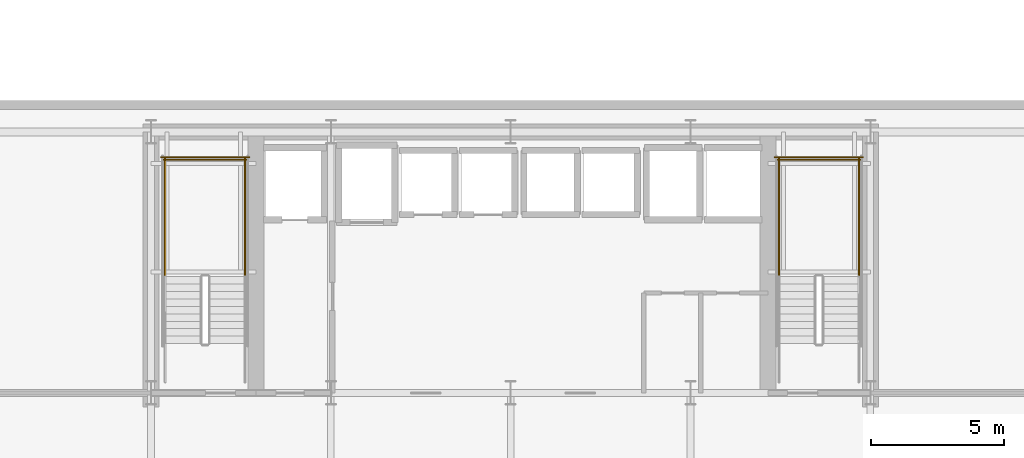
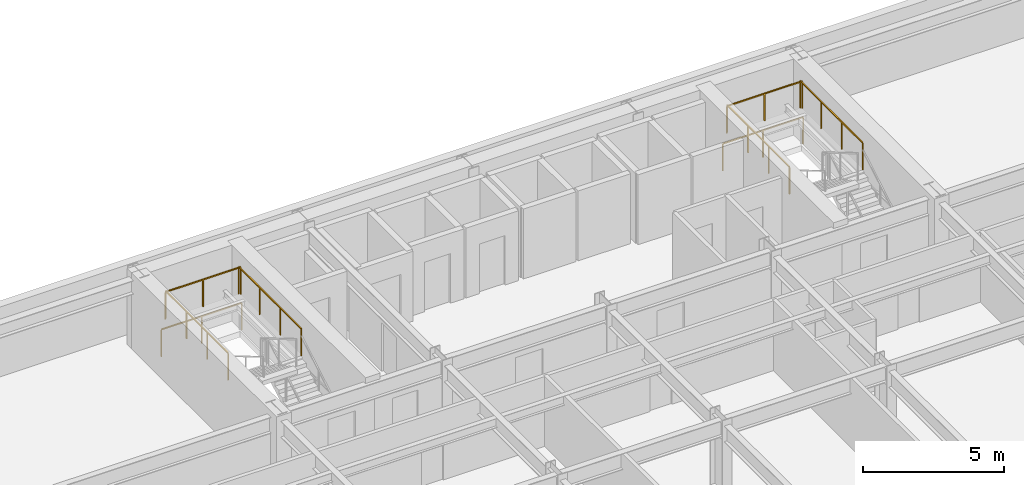
# One storey, part 13 of 16: 8 railings.
"""IFC4 building model written with IfcOpenShell, lengths in metres."""

from ifc_helpers import new_model, si_unit, direction, frame, origin, origin_2d, place, context, subcontext, project, spatial, rectangle, extrude, material, type_object, element, save


model = new_model("IFC4")

# Units and contexts
model_context = context("Model", 3, precision=1e-05, world=origin(), true_north=direction((0.0, 1.0)))
body_context = subcontext(model_context, "Body", "Model", "MODEL_VIEW")
ifc_project = project(units=[si_unit("LENGTHUNIT", "METRE"), si_unit("AREAUNIT", "SQUARE_METRE"), si_unit("VOLUMEUNIT", "CUBIC_METRE"), si_unit("PLANEANGLEUNIT", "RADIAN"), si_unit("MASSUNIT", "GRAM", prefix="KILO")], contexts=[model_context])

# Site, building, storey
site_placement = place(None, origin())
site = spatial("IfcSite", under=ifc_project, at=site_placement, CompositionType="ELEMENT")
building_placement = place(site_placement, origin())
building = spatial("IfcBuilding", under=site, at=building_placement, Name="Haevon Station Towers", CompositionType="ELEMENT")
storey_placement = place(building_placement, frame((0.0, 0.0, 43.800048828125)))
storey = spatial("IfcBuildingStorey", under=building, at=storey_placement, Name="L10", CompositionType="ELEMENT", Elevation=43.800048828125)

# Railings
ifc_material = material(Name="Steel S355", Category="steel")
railing_type = type_object("IfcRailingType", Name="GRD-STR1200", PredefinedType="GUARDRAIL", material=ifc_material)
for number, where, name in (
    (1, (27.530029296875, 42.570068359375, 1.64990234375), "L10 ST1 Stair Guard 3"),
    (2, (24.530029296875, 42.570068359375, 1.64990234375), "L10 ST1 Stair Guard 4"),
):
    element("IfcRailing", number, at=place(storey_placement, frame(where)), inside=storey, type_object=railing_type, Name=name, PredefinedType="GUARDRAIL", context=body_context, shape_type="SweptSolid", body=[
        extrude(rectangle(XDim=0.048095703125, YDim=0.048095703125, at=origin_2d()), frame((0.0, 0.0, 1.17578125), z_axis=(0.0, 1.0, 0.0), x_axis=(-1.0, 0.0, 0.0)), (0.0, 0.0, 1.0), 4.429931640625),
        extrude(rectangle(XDim=0.0419921875, YDim=0.0419921875, at=origin_2d()), origin(), (0.0, 0.0, 1.0), 1.15185546875),
        extrude(rectangle(XDim=0.0419921875, YDim=0.0419921875, at=origin_2d()), frame((0.0, 1.4765625, 0.0)), (0.0, 0.0, 1.0), 1.15185546875),
        extrude(rectangle(XDim=0.0419921875, YDim=0.0419921875, at=origin_2d()), frame((0.0, 2.953369140625, 0.0)), (0.0, 0.0, 1.0), 1.15185546875),
        extrude(rectangle(XDim=0.0419921875, YDim=0.0419921875, at=origin_2d()), frame((0.0, 4.429931640625, 0.0)), (0.0, 0.0, 1.0), 1.15185546875),
    ])
railing_1_placement = place(storey_placement, frame((27.580078125, 46.949951171875, 1.64990234375)))
element("IfcRailing", 3, at=railing_1_placement, inside=storey, type_object=railing_type, Name="L10 ST1 Stair Guard 5", PredefinedType="GUARDRAIL", context=body_context, shape_type="SweptSolid", body=[
    extrude(rectangle(XDim=0.048095703125, YDim=0.048095703125, at=origin_2d()), frame((0.0, 0.0, 1.17578125), z_axis=(-1.0, 0.0, 0.0), x_axis=(0.0, -1.0, 0.0)), (0.0, 0.0, 1.0), 3.10009765625),
    extrude(rectangle(XDim=0.0419921875, YDim=0.0419921875, at=origin_2d()), origin(), (0.0, 0.0, 1.0), 1.15185546875),
    extrude(rectangle(XDim=0.0419921875, YDim=0.0419921875, at=origin_2d()), frame((-1.550048828125, 0.0, 0.0)), (0.0, 0.0, 1.0), 1.15185546875),
    extrude(rectangle(XDim=0.0419921875, YDim=0.0419921875, at=origin_2d()), frame((-3.10009765625, 0.0, 0.0)), (0.0, 0.0, 1.0), 1.15185546875),
])
railing_2_placement = place(storey_placement, frame((27.679931640625, 47.050048828125, 0.0)))
element("IfcRailing", 4, at=railing_2_placement, inside=storey, type_object=railing_type, Name="L10 ST1 Stair Guard 12", PredefinedType="GUARDRAIL", context=body_context, shape_type="SweptSolid", body=[
    extrude(rectangle(XDim=0.048095703125, YDim=0.048095703125, at=origin_2d()), frame((0.0, 0.0, 1.17578125), z_axis=(-1.0, 0.0, 0.0), x_axis=(0.0, -1.0, 0.0)), (0.0, 0.0, 1.0), 3.300048828125),
    extrude(rectangle(XDim=0.0419921875, YDim=0.0419921875, at=origin_2d()), origin(), (0.0, 0.0, 1.0), 1.15185546875),
    extrude(rectangle(XDim=0.0419921875, YDim=0.0419921875, at=origin_2d()), frame((-1.64990234375, 0.0, 0.0)), (0.0, 0.0, 1.0), 1.15185546875),
    extrude(rectangle(XDim=0.0419921875, YDim=0.0419921875, at=origin_2d()), frame((-3.300048828125, 0.0, 0.0)), (0.0, 0.0, 1.0), 1.15185546875),
])
for number, where, name in (
    (5, (50.570068359375, 42.570068359375, 1.64990234375), "L10 ST2 Stair Guard 3"),
    (6, (47.570068359375, 42.570068359375, 1.64990234375), "L10 ST2 Stair Guard 4"),
):
    element("IfcRailing", number, at=place(storey_placement, frame(where)), inside=storey, type_object=railing_type, Name=name, PredefinedType="GUARDRAIL", context=body_context, shape_type="SweptSolid", body=[
        extrude(rectangle(XDim=0.048095703125, YDim=0.048095703125, at=origin_2d()), frame((0.0, 0.0, 1.17578125), z_axis=(0.0, 1.0, 0.0), x_axis=(-1.0, 0.0, 0.0)), (0.0, 0.0, 1.0), 4.429931640625),
        extrude(rectangle(XDim=0.0419921875, YDim=0.0419921875, at=origin_2d()), origin(), (0.0, 0.0, 1.0), 1.15185546875),
        extrude(rectangle(XDim=0.0419921875, YDim=0.0419921875, at=origin_2d()), frame((0.0, 1.4765625, 0.0)), (0.0, 0.0, 1.0), 1.15185546875),
        extrude(rectangle(XDim=0.0419921875, YDim=0.0419921875, at=origin_2d()), frame((0.0, 2.953369140625, 0.0)), (0.0, 0.0, 1.0), 1.15185546875),
        extrude(rectangle(XDim=0.0419921875, YDim=0.0419921875, at=origin_2d()), frame((0.0, 4.429931640625, 0.0)), (0.0, 0.0, 1.0), 1.15185546875),
    ])
railing_3_placement = place(storey_placement, frame((50.6201171875, 46.949951171875, 1.64990234375)))
element("IfcRailing", 7, at=railing_3_placement, inside=storey, type_object=railing_type, Name="L10 ST2 Stair Guard 5", PredefinedType="GUARDRAIL", context=body_context, shape_type="SweptSolid", body=[
    extrude(rectangle(XDim=0.048095703125, YDim=0.048095703125, at=origin_2d()), frame((0.0, 0.0, 1.17578125), z_axis=(-1.0, 0.0, 0.0), x_axis=(0.0, -1.0, 0.0)), (0.0, 0.0, 1.0), 3.10009765625),
    extrude(rectangle(XDim=0.0419921875, YDim=0.0419921875, at=origin_2d()), origin(), (0.0, 0.0, 1.0), 1.15185546875),
    extrude(rectangle(XDim=0.0419921875, YDim=0.0419921875, at=origin_2d()), frame((-1.550048828125, 0.0, 0.0)), (0.0, 0.0, 1.0), 1.15185546875),
    extrude(rectangle(XDim=0.0419921875, YDim=0.0419921875, at=origin_2d()), frame((-3.10009765625, 0.0, 0.0)), (0.0, 0.0, 1.0), 1.15185546875),
])
railing_4_placement = place(storey_placement, frame((50.719970703125, 47.050048828125, 0.0)))
element("IfcRailing", 8, at=railing_4_placement, inside=storey, type_object=railing_type, Name="L10 ST2 Stair Guard 12", PredefinedType="GUARDRAIL", context=body_context, shape_type="SweptSolid", body=[
    extrude(rectangle(XDim=0.048095703125, YDim=0.048095703125, at=origin_2d()), frame((0.0, 0.0, 1.17578125), z_axis=(-1.0, 0.0, 0.0), x_axis=(0.0, -1.0, 0.0)), (0.0, 0.0, 1.0), 3.300048828125),
    extrude(rectangle(XDim=0.0419921875, YDim=0.0419921875, at=origin_2d()), origin(), (0.0, 0.0, 1.0), 1.15185546875),
    extrude(rectangle(XDim=0.0419921875, YDim=0.0419921875, at=origin_2d()), frame((-1.64990234375, 0.0, 0.0)), (0.0, 0.0, 1.0), 1.15185546875),
    extrude(rectangle(XDim=0.0419921875, YDim=0.0419921875, at=origin_2d()), frame((-3.300048828125, 0.0, 0.0)), (0.0, 0.0, 1.0), 1.15185546875),
])

save(model, "model.ifc")
